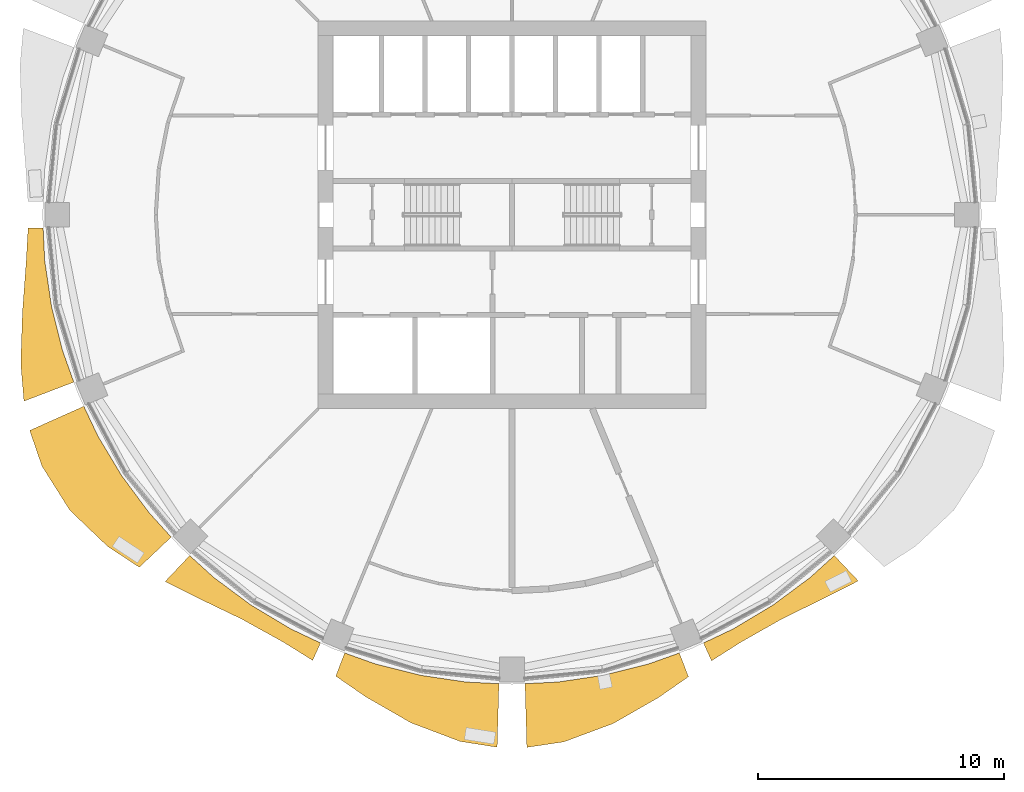
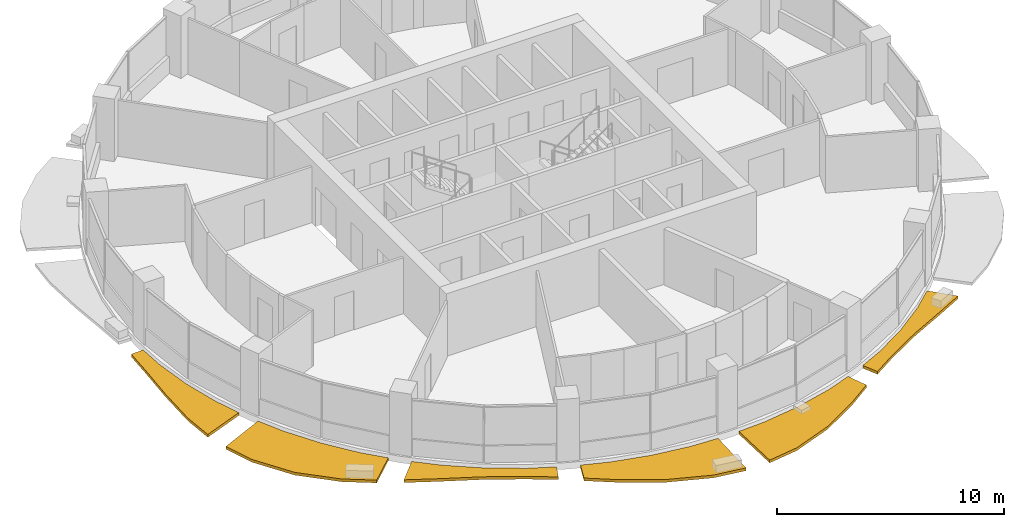
# One storey, part 12 of 15: 6 shading devices.
"""IFC4 building model written with IfcOpenShell, lengths in metres."""

from ifc_helpers import new_model, si_unit, direction, frame, origin, place, context, subcontext, project, spatial, polyline, outline, extrude, material, type_object, element, save


model = new_model("IFC4")

# Units and contexts
model_context = context("Model", 3, precision=1e-05, world=origin(), true_north=direction((0.0, 1.0)))
body_context = subcontext(model_context, "Body", "Model", "MODEL_VIEW")
ifc_project = project(units=[si_unit("LENGTHUNIT", "METRE"), si_unit("AREAUNIT", "SQUARE_METRE"), si_unit("VOLUMEUNIT", "CUBIC_METRE"), si_unit("PLANEANGLEUNIT", "RADIAN"), si_unit("MASSUNIT", "GRAM", prefix="KILO")], contexts=[model_context])

# Site, building, storey
site_placement = place(None, origin())
site = spatial("IfcSite", under=ifc_project, at=site_placement, CompositionType="ELEMENT")
building_placement = place(site_placement, origin())
building = spatial("IfcBuilding", under=site, at=building_placement, Name="Polderwave Tower", CompositionType="ELEMENT")
storey_placement = place(building_placement, frame((0.0, 0.0, 124.300048828125)))
storey = spatial("IfcBuildingStorey", under=building, at=storey_placement, Name="L32", CompositionType="ELEMENT", Elevation=124.300048828125)

# Shading devices
ifc_material = material(Name="Terracotta", Category="masonry")
shading_device_type = type_object("IfcShadingDeviceType", Name="Terracotta sunshade band", PredefinedType="USERDEFINED", material=ifc_material)
shading_device_1_placement = place(storey_placement, frame((0.0, 0.0, -0.35009765625)))
element("IfcShadingDevice", 1, at=shading_device_1_placement, inside=storey, type_object=shading_device_type, Name="Sunshade band L32 9", ObjectType="SUNSHADE", PredefinedType="USERDEFINED", context=body_context, shape_type="SweptSolid", body=[
    extrude(outline(polyline([(-19.033935546875, -0.52978515625), (-18.96826171875, -1.8681640625), (-18.69384765625, -3.718505859375), (-18.2392578125, -5.53271484375), (-17.787841796875, -6.79443359375), (-19.811767578125, -7.5673828125), (-19.94189453125, -6.04931640625), (-19.873046875, -3.952880859375), (-19.72412109375, -1.942626953125), (-19.64501953125, -0.546875), (-19.033935546875, -0.52978515625)])), origin(), (0.0, 0.0, 1.0), 0.150146484375),
])
shading_device_2_placement = place(storey_placement, frame((0.0, 0.0, -0.35009765625)))
element("IfcShadingDevice", 2, at=shading_device_2_placement, inside=storey, type_object=shading_device_type, Name="Sunshade band L32 10", ObjectType="SUNSHADE", PredefinedType="USERDEFINED", context=body_context, shape_type="SweptSolid", body=[
    extrude(outline(polyline([(-17.38232421875, -7.7734375), (-16.809326171875, -8.98486328125), (-15.847900390625, -10.589111328125), (-14.733642578125, -12.091552734375), (-13.833740234375, -13.08447265625), (-15.128662109375, -14.30908203125), (-16.410400390625, -13.467529296875), (-17.951416015625, -11.994873046875), (-19.08251953125, -10.19970703125), (-19.577880859375, -8.755615234375), (-17.38232421875, -7.7734375)])), origin(), (0.0, 0.0, 1.0), 0.150146484375),
])
shading_device_3_placement = place(storey_placement, frame((0.0, 0.0, -0.35009765625)))
element("IfcShadingDevice", 3, at=shading_device_3_placement, inside=storey, type_object=shading_device_type, Name="Sunshade band L32 11", ObjectType="SUNSHADE", PredefinedType="USERDEFINED", context=body_context, shape_type="SweptSolid", body=[
    extrude(outline(polyline([(-13.08447265625, -13.833740234375), (-12.091552734375, -14.733642578125), (-10.589111328125, -15.847900390625), (-8.98486328125, -16.809326171875), (-7.7734375, -17.38232421875), (-8.09033203125, -18.090576171875), (-9.275390625, -17.352783203125), (-10.96826171875, -16.415283203125), (-12.7626953125, -15.551513671875), (-14.08056640625, -14.88720703125), (-13.08447265625, -13.833740234375)])), origin(), (0.0, 0.0, 1.0), 0.150146484375),
])
shading_device_4_placement = place(storey_placement, frame((0.0, 0.0, -0.35009765625)))
element("IfcShadingDevice", 4, at=shading_device_4_placement, inside=storey, type_object=shading_device_type, Name="Sunshade band L32 12", ObjectType="SUNSHADE", PredefinedType="USERDEFINED", context=body_context, shape_type="SweptSolid", body=[
    extrude(outline(polyline([(-6.79443359375, -17.787841796875), (-5.53271484375, -18.2392578125), (-3.718505859375, -18.69384765625), (-1.8681640625, -18.96826171875), (-0.52978515625, -19.033935546875), (-0.601806640625, -21.6162109375), (-2.105712890625, -21.37890625), (-4.102294921875, -20.62353515625), (-5.93603515625, -19.568603515625), (-7.15380859375, -18.728759765625), (-6.79443359375, -17.787841796875)])), origin(), (0.0, 0.0, 1.0), 0.150146484375),
])
shading_device_5_placement = place(storey_placement, frame((0.0, 0.0, -0.35009765625)))
element("IfcShadingDevice", 5, at=shading_device_5_placement, inside=storey, type_object=shading_device_type, Name="Sunshade band L32 13", ObjectType="SUNSHADE", PredefinedType="USERDEFINED", context=body_context, shape_type="SweptSolid", body=[
    extrude(outline(polyline([(0.52978515625, -19.033935546875), (1.8681640625, -18.96826171875), (3.718505859375, -18.69384765625), (5.53271484375, -18.2392578125), (6.79443359375, -17.787841796875), (7.1630859375, -18.75341796875), (5.9453125, -19.59912109375), (4.108154296875, -20.653076171875), (2.107421875, -21.39697265625), (0.601806640625, -21.62158203125), (0.52978515625, -19.033935546875)])), origin(), (0.0, 0.0, 1.0), 0.150146484375),
])
shading_device_6_placement = place(storey_placement, frame((0.0, 0.0, -0.35009765625)))
element("IfcShadingDevice", 6, at=shading_device_6_placement, inside=storey, type_object=shading_device_type, Name="Sunshade band L32 14", ObjectType="SUNSHADE", PredefinedType="USERDEFINED", context=body_context, shape_type="SweptSolid", body=[
    extrude(outline(polyline([(7.7734375, -17.38232421875), (8.98486328125, -16.809326171875), (10.589111328125, -15.847900390625), (12.091552734375, -14.733642578125), (13.08447265625, -13.833740234375), (14.05859375, -14.86376953125), (12.74560546875, -15.530517578125), (10.96142578125, -16.40478515625), (9.2783203125, -17.3583984375), (8.097900390625, -18.10791015625), (7.7734375, -17.38232421875)])), origin(), (0.0, 0.0, 1.0), 0.150146484375),
])

save(model, "model.ifc")
